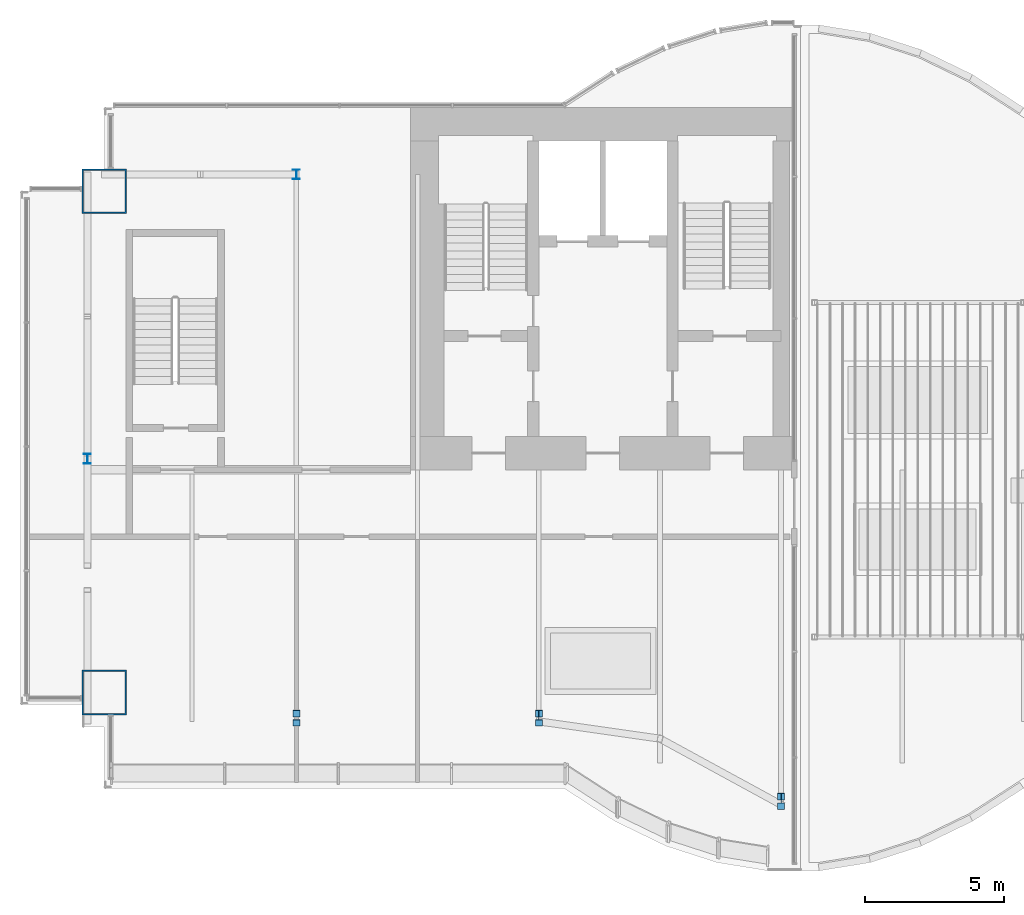
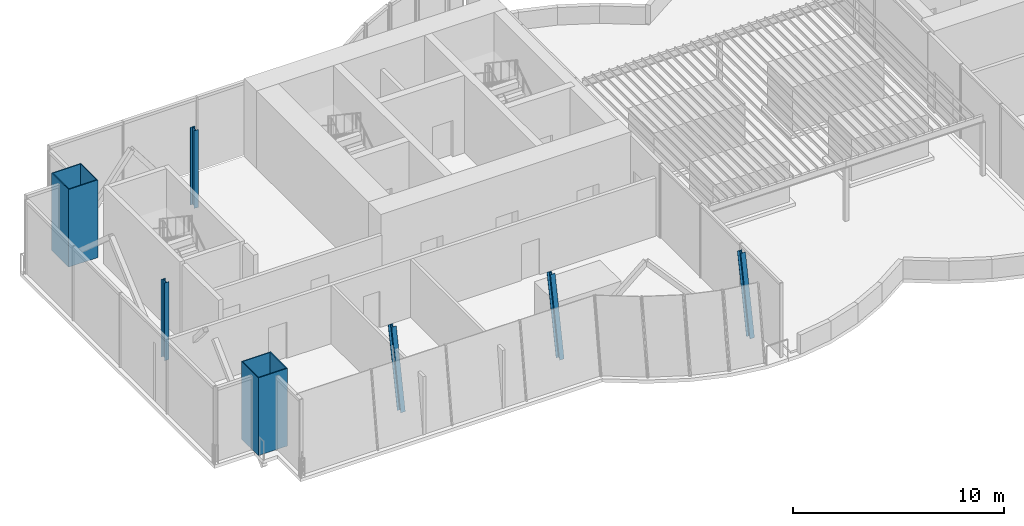
# One storey, part 1 of 18: 7 columns.
"""IFC4 building model written with IfcOpenShell, lengths in metres."""

from ifc_helpers import new_model, si_unit, direction, frame, origin, origin_2d, place, context, subcontext, project, spatial, hollow_rectangle, i_section, extrude, material, material_profile, profile_set, type_object, element, save


model = new_model("IFC4")

# Units and contexts
model_context = context("Model", 3, precision=1e-05, world=origin(), true_north=direction((0.0, 1.0)))
body_context = subcontext(model_context, "Body", "Model", "MODEL_VIEW")
ifc_project = project(units=[si_unit("LENGTHUNIT", "METRE"), si_unit("AREAUNIT", "SQUARE_METRE"), si_unit("VOLUMEUNIT", "CUBIC_METRE"), si_unit("PLANEANGLEUNIT", "RADIAN"), si_unit("MASSUNIT", "GRAM", prefix="KILO")], contexts=[model_context])

# Site, building, storey
site_placement = place(None, origin())
site = spatial("IfcSite", under=ifc_project, at=site_placement, CompositionType="ELEMENT")
building_placement = place(site_placement, origin())
building = spatial("IfcBuilding", under=site, at=building_placement, Name="Bicima Exchange Tower", CompositionType="ELEMENT")
storey_placement = place(building_placement, frame((0.0, 0.0, 347.89990234375)))
storey = spatial("IfcBuildingStorey", under=building, at=storey_placement, Name="L78", CompositionType="ELEMENT", Elevation=347.89990234375)

# Columns
ifc_material_1 = material(Name="Steel ASTM A572 Gr 50", Category="steel")
ifc_material_profile_1 = material_profile(ifc_material_1, hollow_rectangle(XDim=1.60009765625, YDim=1.60009765625, WallThickness=0.050048828125, at=origin_2d()))
ifc_profile_set_1 = profile_set([ifc_material_profile_1], Name="Steel ASTM A572 Gr 50")
column_type_1 = type_object("IfcColumnType", Name="Mega column BOX 1600x1600x50", PredefinedType="COLUMN", material=ifc_profile_set_1)
for number, where, z_axis, x_axis, name in (
    (1, (-33.0, -20.993896484375, 0.0), (0.0, 0.0, 1.0), (1.0, 0.0, 0.0), "Mega column mega-33.0f"),
    (2, (-33.0, -3.0, 0.0), (0.0, 0.0, 1.0), (1.0, 0.0, 0.0), "Mega column mega-33.0r"),
):
    element("IfcColumn", number, at=place(storey_placement, frame(where, z_axis=z_axis, x_axis=x_axis)), inside=storey, type_object=column_type_1, Name=name, PredefinedType="COLUMN", context=body_context, shape_type="SweptSolid", body=[
        extrude(hollow_rectangle(XDim=1.60009765625, YDim=1.60009765625, WallThickness=0.050048828125, at=origin_2d()), origin(), (0.0, 0.0, 1.0), 4.5),
    ])
ifc_material_2 = material(Name="Steel ASTM A992 Gr 50", Category="steel")
ifc_material_profile_2 = material_profile(ifc_material_2, i_section(OverallWidth=0.25390625, OverallDepth=0.35302734375, WebThickness=0.009521484375, FlangeThickness=0.016357421875, at=origin_2d()))
ifc_profile_set_2 = profile_set([ifc_material_profile_2], Name="Steel ASTM A992 Gr 50")
column_type_2 = type_object("IfcColumnType", Name="Perimeter column W14x61", PredefinedType="COLUMN", material=ifc_profile_set_2)
column_1_placement = place(storey_placement, frame((-26.10009765625, -22.025390625, 0.03369140625), z_axis=(0.0, 0.191154699822, 0.981559922132), x_axis=(-1.0, 0.0, 0.0)))
element("IfcColumn", 3, at=column_1_placement, inside=storey, type_object=column_type_2, Name="Perimeter column grav-26.1f", PredefinedType="COLUMN", context=body_context, shape_type="SweptSolid", body=[
    extrude(i_section(OverallWidth=0.25390625, OverallDepth=0.35302734375, WebThickness=0.009521484375, FlangeThickness=0.016357421875, at=origin_2d()), origin(), (0.0, 0.0, 1.0), 4.51611328125),
])
column_2_placement = place(storey_placement, frame((-26.10009765625, -2.39990234375, 0.0), z_axis=(0.0, 0.0, 1.0), x_axis=(1.0, 0.0, 0.0)))
element("IfcColumn", 4, at=column_2_placement, inside=storey, type_object=column_type_2, Name="Perimeter column grav-26.1r", PredefinedType="COLUMN", context=body_context, shape_type="SweptSolid", body=[
    extrude(i_section(OverallWidth=0.25390625, OverallDepth=0.35302734375, WebThickness=0.009521484375, FlangeThickness=0.016357421875, at=origin_2d()), origin(), (0.0, 0.0, 1.0), 4.5),
])
for number, where, z_axis, x_axis, name in (
    (5, (-17.39990234375, -22.025390625, 0.03369140625), (0.0, 0.191154699822, 0.981559922132), (-1.0, 0.0, 0.0), "Perimeter column grav-17.4f"),
    (6, (-8.699951171875, -25.0166015625, 0.03369140625), (0.0, 0.191154699822, 0.981559922132), (-1.0, 0.0, 0.0), "Perimeter column grav-8.7f"),
):
    element("IfcColumn", number, at=place(storey_placement, frame(where, z_axis=z_axis, x_axis=x_axis)), inside=storey, type_object=column_type_2, Name=name, PredefinedType="COLUMN", context=body_context, shape_type="SweptSolid", body=[
        extrude(i_section(OverallWidth=0.25390625, OverallDepth=0.35302734375, WebThickness=0.009521484375, FlangeThickness=0.016357421875, at=origin_2d()), origin(), (0.0, 0.0, 1.0), 4.51611328125),
    ])
column_3_placement = place(storey_placement, frame((-33.60009765625, -12.60009765625, 0.0), z_axis=(0.0, 0.0, 1.0), x_axis=(1.0, 0.0, 0.0)))
element("IfcColumn", 7, at=column_3_placement, inside=storey, type_object=column_type_2, Name="End column end-33.6e", PredefinedType="COLUMN", context=body_context, shape_type="SweptSolid", body=[
    extrude(i_section(OverallWidth=0.25390625, OverallDepth=0.35302734375, WebThickness=0.009521484375, FlangeThickness=0.016357421875, at=origin_2d()), origin(), (0.0, 0.0, 1.0), 4.5),
])

save(model, "model.ifc")
